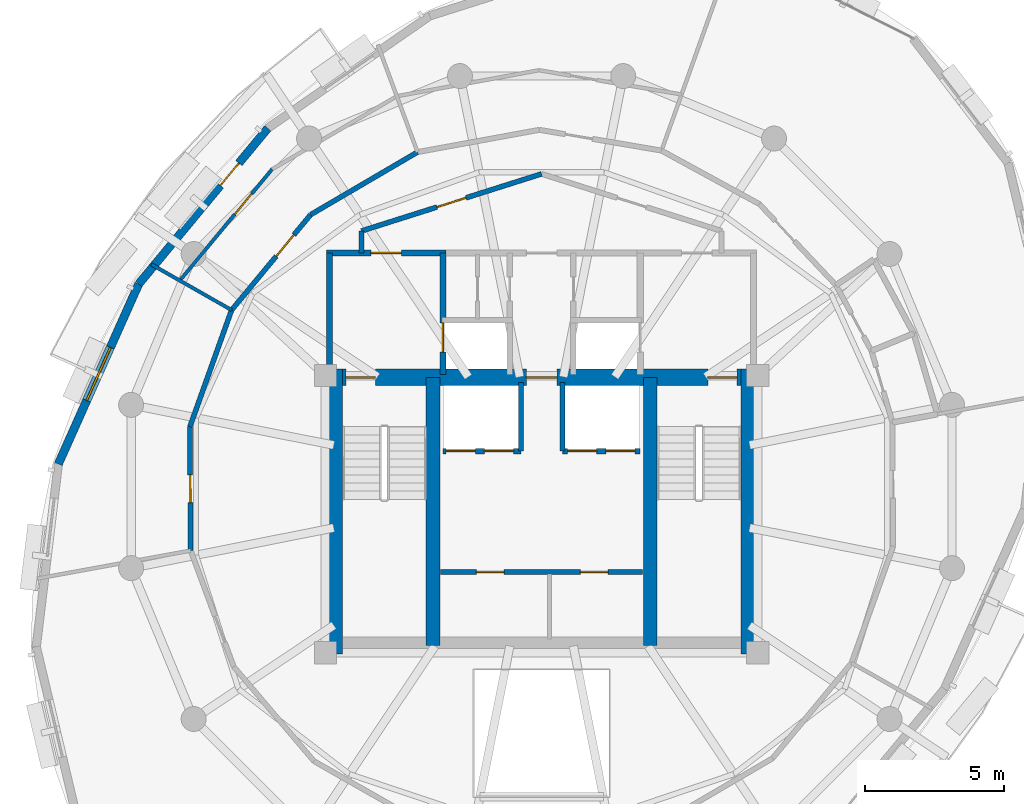
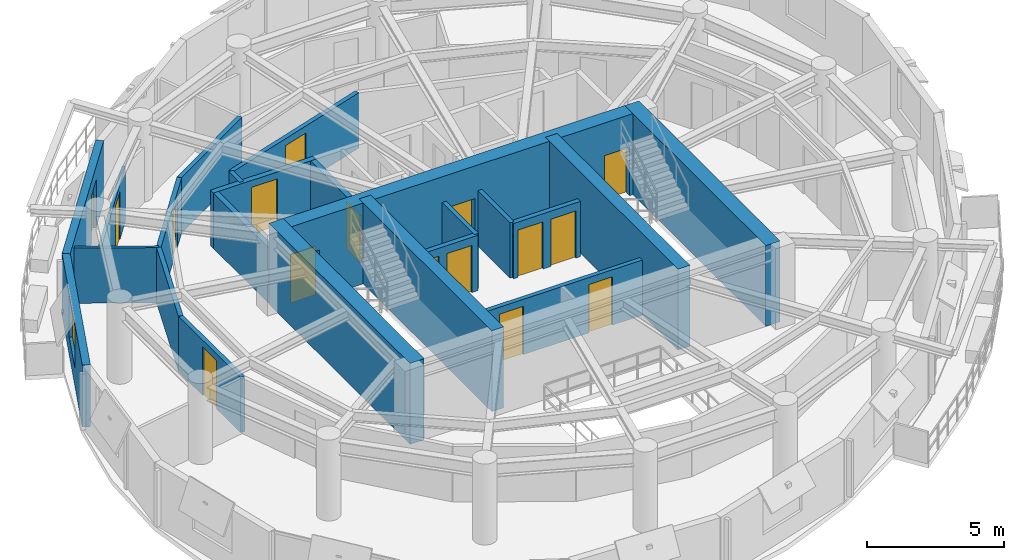
# One storey, part 7 of 11: 23 walls, 16 doors, 1 window, 17 openings.
"""IFC4 building model written with IfcOpenShell, lengths in metres."""

from ifc_helpers import new_model, si_unit, direction, frame, frame_2d, origin, place, context, subcontext, project, spatial, rectangle, extrude, material, layer, layer_set, type_object, element, fill, save


model = new_model("IFC4")

# Units and contexts
model_context = context("Model", 3, precision=1e-05, world=origin(), true_north=direction((0.0, 1.0)))
body_context = subcontext(model_context, "Body", "Model", "MODEL_VIEW")
ifc_project = project(units=[si_unit("LENGTHUNIT", "METRE"), si_unit("AREAUNIT", "SQUARE_METRE"), si_unit("VOLUMEUNIT", "CUBIC_METRE"), si_unit("PLANEANGLEUNIT", "RADIAN"), si_unit("MASSUNIT", "GRAM", prefix="KILO"), si_unit("THERMODYNAMICTEMPERATUREUNIT", "KELVIN"), si_unit("POWERUNIT", "WATT")], contexts=[model_context])

# Site, building, storey
site_placement = place(None, origin())
site = spatial("IfcSite", under=ifc_project, at=site_placement, CompositionType="ELEMENT")
building_placement = place(site_placement, origin())
building = spatial("IfcBuilding", under=site, at=building_placement, Name="Ocrelia Relay Tower", CompositionType="ELEMENT")
storey_placement = place(building_placement, frame((0.0, 0.0, 241.199951171875)))
storey = spatial("IfcBuildingStorey", under=building, at=storey_placement, Name="L59", CompositionType="ELEMENT", Elevation=241.199951171875)

# Wall, openings, doors
ifc_material_1 = material(Name="Concrete C50/60", Category="concrete")
ifc_layer_1 = layer(ifc_material_1, 0.60009765625, Name="Concrete C50/60")
ifc_layer_set_1 = layer_set([ifc_layer_1], Name="Concrete C50/60")
wall_type_1 = type_object("IfcWallType", Name="CW-CORE-600B", PredefinedType="SHEAR", material=ifc_layer_set_1)
wall_1_placement = place(storey_placement, frame((26.221923828125, 29.93798828125, 0.0), z_axis=(0.0, 0.0, 1.0), x_axis=(1.0, 0.0, 0.0)))
wall_1 = element("IfcWall", 1, at=wall_1_placement, inside=storey, type_object=wall_type_1, Name="L59 Core Shear Wall N", PredefinedType="SHEAR", context=body_context, shape_type="SweptSolid", body=[
    extrude(rectangle(XDim=15.566162109375, YDim=0.60009765625, at=frame_2d((7.783203125, 0.0))), origin(), (0.0, 0.0, 1.0), 3.60009765625),
])
opening_1_placement = place(wall_1_placement, frame((0.72802734375, 0.0, 0.0)))
opening_1 = element("IfcOpeningElement", 2, at=opening_1_placement, cuts=wall_1, Name="Opening D-FD90", PredefinedType="OPENING", context=body_context, shape_type="SweptSolid", body=[
    extrude(rectangle(XDim=1.050048828125, YDim=2.14990234375, at=frame_2d((0.52490234375, 1.074951171875))), frame((0.0, 0.31005859375, 0.0), z_axis=(0.0, -1.0, 0.0), x_axis=(1.0, 0.0, 0.0)), (0.0, 0.0, 1.0), 0.6201171875),
])
opening_2_placement = place(wall_1_placement, frame((13.778076171875, 0.0, 0.0)))
opening_2 = element("IfcOpeningElement", 3, at=opening_2_placement, cuts=wall_1, Name="Opening D-FD90", PredefinedType="OPENING", context=body_context, shape_type="SweptSolid", body=[
    extrude(rectangle(XDim=1.050048828125, YDim=2.14990234375, at=frame_2d((0.52490234375, 1.074951171875))), frame((0.0, 0.31005859375, 0.0), z_axis=(0.0, -1.0, 0.0), x_axis=(1.0, 0.0, 0.0)), (0.0, 0.0, 1.0), 0.6201171875),
])
opening_3_placement = place(wall_1_placement, frame((7.22802734375, 0.0, 0.0)))
opening_3 = element("IfcOpeningElement", 4, at=opening_3_placement, cuts=wall_1, Name="Opening D-FD60", PredefinedType="OPENING", context=body_context, shape_type="SweptSolid", body=[
    extrude(rectangle(XDim=1.10009765625, YDim=2.14990234375, at=frame_2d((0.550048828125, 1.074951171875))), frame((0.0, 0.31005859375, 0.0), z_axis=(0.0, -1.0, 0.0), x_axis=(1.0, 0.0, 0.0)), (0.0, 0.0, 1.0), 0.6201171875),
])
ifc_material_2 = material(Name="Timber-core 60-min acoustic fire door", Category="wood")
door_type_1 = type_object("IfcDoorType", Name="DR-LOBBY-FD60-1100", OperationType="NOTDEFINED", PredefinedType="DOOR", material=ifc_material_2)
door_1_placement = place(opening_3_placement, origin())
door_1 = element("IfcDoor", 5, at=door_1_placement, inside=storey, type_object=door_type_1, Name="L59 Core Lift Lobby North Fire Door", OperationType="SINGLE_SWING_LEFT", OverallHeight=2.14990234375, OverallWidth=1.10009765625, PredefinedType="DOOR", context=body_context, shape_type="SweptSolid", body=[
    extrude(rectangle(XDim=1.10009765625, YDim=2.14990234375, at=frame_2d((0.550048828125, 1.074951171875))), frame((0.0, 0.02490234375, 0.0), z_axis=(0.0, -1.0, 0.0), x_axis=(1.0, 0.0, 0.0)), (0.0, 0.0, 1.0), 0.050048828125),
])
fill(opening_3, door_1)
ifc_material_3 = material(Name="Steel S355 90-min fire door", Category="steel")
door_type_2 = type_object("IfcDoorType", Name="DR-STAIR-FD90-1050", OperationType="NOTDEFINED", PredefinedType="DOOR", material=ifc_material_3)
door_2_placement = place(opening_1_placement, origin())
door_2 = element("IfcDoor", 6, at=door_2_placement, inside=storey, type_object=door_type_2, Name="L59 Stair ST1 Fire Door", OperationType="SINGLE_SWING_LEFT", OverallHeight=2.14990234375, OverallWidth=1.050048828125, PredefinedType="DOOR", context=body_context, shape_type="SweptSolid", body=[
    extrude(rectangle(XDim=1.050048828125, YDim=2.14990234375, at=frame_2d((0.52490234375, 1.074951171875))), frame((0.0, 0.02490234375, 0.0), z_axis=(0.0, -1.0, 0.0), x_axis=(1.0, 0.0, 0.0)), (0.0, 0.0, 1.0), 0.050048828125),
])
fill(opening_1, door_2)
door_3_placement = place(opening_2_placement, origin())
door_3 = element("IfcDoor", 7, at=door_3_placement, inside=storey, type_object=door_type_2, Name="L59 Stair ST2 Fire Door", OperationType="SINGLE_SWING_RIGHT", OverallHeight=2.14990234375, OverallWidth=1.050048828125, PredefinedType="DOOR", context=body_context, shape_type="SweptSolid", body=[
    extrude(rectangle(XDim=1.050048828125, YDim=2.14990234375, at=frame_2d((0.52490234375, 1.074951171875))), frame((0.0, 0.02490234375, 0.0), z_axis=(0.0, -1.0, 0.0), x_axis=(1.0, 0.0, 0.0)), (0.0, 0.0, 1.0), 0.050048828125),
])
fill(opening_2, door_3)

# Walls
for number, where, z_axis, x_axis, name in (
    (8, (26.52197265625, 19.9619140625, 0.0), (0.0, 0.0, 1.0), (0.0, 1.0, 0.0), "L59 Core Shear Wall W"),
    (9, (41.488037109375, 19.9619140625, 0.0), (0.0, 0.0, 1.0), (0.0, 1.0, 0.0), "L59 Core Shear Wall E"),
):
    element("IfcWall", number, at=place(storey_placement, frame(where, z_axis=z_axis, x_axis=x_axis)), inside=storey, type_object=wall_type_1, Name=name, PredefinedType="SHEAR", context=body_context, shape_type="SweptSolid", body=[
        extrude(rectangle(XDim=10.276123046875, YDim=0.60009765625, at=frame_2d((5.13818359375, 0.0))), origin(), (0.0, 0.0, 1.0), 3.60009765625),
    ])
for number, where, z_axis, x_axis, name in (
    (10, (30.087890625, 20.261962890625, 0.0), (0.0, 0.0, 1.0), (0.0, 1.0, 0.0), "L59 Core Shear Wall SPW"),
    (11, (37.922119140625, 20.261962890625, 0.0), (0.0, 0.0, 1.0), (0.0, 1.0, 0.0), "L59 Core Shear Wall SPE"),
):
    element("IfcWall", number, at=place(storey_placement, frame(where, z_axis=z_axis, x_axis=x_axis)), inside=storey, type_object=wall_type_1, Name=name, PredefinedType="SHEAR", context=body_context, shape_type="SweptSolid", body=[
        extrude(rectangle(XDim=9.676025390625, YDim=0.5, at=frame_2d((4.837890625, 0.0))), origin(), (0.0, 0.0, 1.0), 3.60009765625),
    ])

# Wall, openings, doors
ifc_material_4 = material(Name="Gypsum Fireboard Partition EI60", Category="gypsum")
ifc_layer_2 = layer(ifc_material_4, 0.179931640625, Name="Gypsum Fireboard Partition EI60")
ifc_layer_set_2 = layer_set([ifc_layer_2], Name="Gypsum Fireboard Partition EI60")
wall_type_2 = type_object("IfcWallType", Name="W-CORR-EI60-180", PredefinedType="PARTITIONING", material=ifc_layer_set_2)
wall_2_placement = place(storey_placement, frame((30.35009765625, 22.919921875, 0.0), z_axis=(0.0, 0.0, 1.0), x_axis=(1.0, 0.0, 0.0)))
wall_2 = element("IfcWall", 12, at=wall_2_placement, inside=storey, type_object=wall_type_2, Name="L59 Reclaimed Core Room Partition", PredefinedType="PARTITIONING", context=body_context, shape_type="SweptSolid", body=[
    extrude(rectangle(XDim=7.2998046875, YDim=0.179931640625, at=frame_2d((3.64990234375, 0.0))), origin(), (0.0, 0.0, 1.0), 2.4599609375),
])
opening_4_placement = place(wall_2_placement, frame((1.300048828125, 0.0, 0.0)))
opening_4 = element("IfcOpeningElement", 13, at=opening_4_placement, cuts=wall_2, Name="Opening D-RM100", PredefinedType="OPENING", context=body_context, shape_type="SweptSolid", body=[
    extrude(rectangle(XDim=1.0, YDim=2.14990234375, at=frame_2d((0.5, 1.074951171875))), frame((0.0, 0.10009765625, 0.0), z_axis=(0.0, -1.0, 0.0), x_axis=(1.0, 0.0, 0.0)), (0.0, 0.0, 1.0), 0.199951171875),
])
opening_5_placement = place(wall_2_placement, frame((5.050048828125, 0.0, 0.0)))
opening_5 = element("IfcOpeningElement", 14, at=opening_5_placement, cuts=wall_2, Name="Opening D-RM100", PredefinedType="OPENING", context=body_context, shape_type="SweptSolid", body=[
    extrude(rectangle(XDim=1.0, YDim=2.14990234375, at=frame_2d((0.5, 1.074951171875))), frame((0.0, 0.10009765625, 0.0), z_axis=(0.0, -1.0, 0.0), x_axis=(1.0, 0.0, 0.0)), (0.0, 0.0, 1.0), 0.199951171875),
])
ifc_material_5 = material(Name="Acoustic oak veneer fire door", Category="wood")
door_type_3 = type_object("IfcDoorType", Name="DR-ROOM-FD60-1000", OperationType="NOTDEFINED", PredefinedType="DOOR", material=ifc_material_5)
door_4_placement = place(opening_4_placement, origin())
door_4 = element("IfcDoor", 15, at=door_4_placement, inside=storey, type_object=door_type_3, Name="L59 Reclaimed Core Room 1 Door", OperationType="SINGLE_SWING_RIGHT", OverallHeight=2.14990234375, OverallWidth=1.0, PredefinedType="DOOR", context=body_context, shape_type="SweptSolid", body=[
    extrude(rectangle(XDim=1.0, YDim=2.14990234375, at=frame_2d((0.5, 1.074951171875))), frame((0.0, 0.02490234375, 0.0), z_axis=(0.0, -1.0, 0.0), x_axis=(1.0, 0.0, 0.0)), (0.0, 0.0, 1.0), 0.050048828125),
])
fill(opening_4, door_4)
door_5_placement = place(opening_5_placement, origin())
door_5 = element("IfcDoor", 16, at=door_5_placement, inside=storey, type_object=door_type_3, Name="L59 Reclaimed Core Room 2 Door", OperationType="SINGLE_SWING_LEFT", OverallHeight=2.14990234375, OverallWidth=1.0, PredefinedType="DOOR", context=body_context, shape_type="SweptSolid", body=[
    extrude(rectangle(XDim=1.0, YDim=2.14990234375, at=frame_2d((0.5, 1.074951171875))), frame((0.0, 0.02490234375, 0.0), z_axis=(0.0, -1.0, 0.0), x_axis=(1.0, 0.0, 0.0)), (0.0, 0.0, 1.0), 0.050048828125),
])
fill(opening_5, door_5)

# Wall
wall_3_placement = place(storey_placement, frame((27.5, 34.429931640625, 0.0), z_axis=(0.0, 0.0, 1.0), x_axis=(0.0, 1.0, 0.0)))
element("IfcWall", 17, at=wall_3_placement, inside=storey, type_object=wall_type_2, Name="L59 Smoke Lobby West Return", PredefinedType="PARTITIONING", context=body_context, shape_type="SweptSolid", body=[
    extrude(rectangle(XDim=0.7890625, YDim=0.179931640625, at=frame_2d((0.39453125, 0.0))), origin(), (0.0, 0.0, 1.0), 2.4599609375),
])

# Wall, opening, door
wall_4_placement = place(storey_placement, frame((27.5, 35.218994140625, 0.0), z_axis=(0.0, 0.0, 1.0), x_axis=(0.953228121756, 0.302251795518, 0.0)))
wall_4 = element("IfcWall", 18, at=wall_4_placement, inside=storey, type_object=wall_type_2, Name="L59 North Smoke Lobby W Screen Wall", PredefinedType="PARTITIONING", context=body_context, shape_type="SweptSolid", body=[
    extrude(rectangle(XDim=6.81884765625, YDim=0.179931640625, at=frame_2d((3.409423828125, 0.0))), origin(), (0.0, 0.0, 1.0), 2.4599609375),
])
opening_6_placement = place(wall_4_placement, frame((2.859619140625, 0.0, 0.0)))
opening_6 = element("IfcOpeningElement", 19, at=opening_6_placement, cuts=wall_4, Name="Opening D-FD60", PredefinedType="OPENING", context=body_context, shape_type="SweptSolid", body=[
    extrude(rectangle(XDim=1.10009765625, YDim=2.14990234375, at=frame_2d((0.550048828125, 1.074951171875))), frame((0.0, 0.10009765625, 0.0), z_axis=(0.0, -1.0, 0.0), x_axis=(1.0, 0.0, 0.0)), (0.0, 0.0, 1.0), 0.199951171875),
])
door_6_placement = place(opening_6_placement, origin())
door_6 = element("IfcDoor", 20, at=door_6_placement, inside=storey, type_object=door_type_1, Name="L59 North Smoke Lobby W Fire Door", OperationType="SINGLE_SWING_RIGHT", OverallHeight=2.14990234375, OverallWidth=1.10009765625, PredefinedType="DOOR", context=body_context, shape_type="SweptSolid", body=[
    extrude(rectangle(XDim=1.10009765625, YDim=2.14990234375, at=frame_2d((0.550048828125, 1.074951171875))), frame((0.0, 0.02490234375, 0.0), z_axis=(0.0, -1.0, 0.0), x_axis=(1.0, 0.0, 0.0)), (0.0, 0.0, 1.0), 0.050048828125),
])
fill(opening_6, door_6)

# Wall
wall_5_placement = place(storey_placement, frame((29.5244140625, 38.066650390625, 0.0), z_axis=(0.0, 0.0, 1.0), x_axis=(-0.862971485052, -0.505252625909, 0.0)))
element("IfcWall", 21, at=wall_5_placement, inside=storey, type_object=wall_type_2, Name="L59 Regulatory Seminar Room Corridor Partition 1", PredefinedType="PARTITIONING", context=body_context, shape_type="SweptSolid", body=[
    extrude(rectangle(XDim=4.4697265625, YDim=0.179931640625, at=frame_2d((2.23486328125, 0.0))), origin(), (0.0, 0.0, 1.0), 2.4599609375),
])

# Wall, opening, door
wall_6_placement = place(storey_placement, frame((25.667236328125, 35.808349609375, 0.0), z_axis=(0.0, 0.0, 1.0), x_axis=(-0.638070606168, -0.769977857828, 0.0)))
wall_6 = element("IfcWall", 22, at=wall_6_placement, inside=storey, type_object=wall_type_2, Name="L59 Regulatory Seminar Room Corridor Partition 2", PredefinedType="PARTITIONING", context=body_context, shape_type="SweptSolid", body=[
    extrude(rectangle(XDim=4.4697265625, YDim=0.179931640625, at=frame_2d((2.23486328125, 0.0))), origin(), (0.0, 0.0, 1.0), 2.4599609375),
])
opening_7_placement = place(wall_6_placement, frame((0.9423828125, 0.0, 0.0)))
opening_7 = element("IfcOpeningElement", 23, at=opening_7_placement, cuts=wall_6, Name="Opening D-RM100", PredefinedType="OPENING", context=body_context, shape_type="SweptSolid", body=[
    extrude(rectangle(XDim=1.0, YDim=2.14990234375, at=frame_2d((0.5, 1.074951171875))), frame((0.0, 0.10009765625, 0.0), z_axis=(0.0, -1.0, 0.0), x_axis=(1.0, 0.0, 0.0)), (0.0, 0.0, 1.0), 0.199951171875),
])
door_7_placement = place(opening_7_placement, origin())
door_7 = element("IfcDoor", 24, at=door_7_placement, inside=storey, type_object=door_type_3, Name="L59 Regulatory Seminar Room Entrance Door", OperationType="SINGLE_SWING_LEFT", OverallHeight=2.14990234375, OverallWidth=1.0, PredefinedType="DOOR", context=body_context, shape_type="SweptSolid", body=[
    extrude(rectangle(XDim=1.0, YDim=2.14990234375, at=frame_2d((0.5, 1.074951171875))), frame((0.0, 0.02490234375, 0.0), z_axis=(0.0, -1.0, 0.0), x_axis=(1.0, 0.0, 0.0)), (0.0, 0.0, 1.0), 0.050048828125),
])
fill(opening_7, door_7)

# Wall
wall_7_placement = place(storey_placement, frame((22.815185546875, 32.36669921875, 0.0), z_axis=(0.0, 0.0, 1.0), x_axis=(-0.336312175041, -0.941750561943, 0.0)))
element("IfcWall", 25, at=wall_7_placement, inside=storey, type_object=wall_type_2, Name="L59 Treaty Negotiation Room Corridor Partition 1", PredefinedType="PARTITIONING", context=body_context, shape_type="SweptSolid", body=[
    extrude(rectangle(XDim=4.469482421875, YDim=0.179931640625, at=frame_2d((2.23486328125, 0.0))), origin(), (0.0, 0.0, 1.0), 2.4599609375),
])

# Wall, opening, door
wall_8_placement = place(storey_placement, frame((21.31201171875, 28.157470703125, 0.0), z_axis=(0.0, 0.0, 1.0), x_axis=(0.006117429774, -0.999981288351, 0.0)))
wall_8 = element("IfcWall", 26, at=wall_8_placement, inside=storey, type_object=wall_type_2, Name="L59 Treaty Negotiation Room Corridor Partition 2", PredefinedType="PARTITIONING", context=body_context, shape_type="SweptSolid", body=[
    extrude(rectangle(XDim=4.4697265625, YDim=0.179931640625, at=frame_2d((2.23486328125, 0.0))), origin(), (0.0, 0.0, 1.0), 2.4599609375),
])
opening_8_placement = place(wall_8_placement, frame((1.73486328125, 0.0, 0.0)))
opening_8 = element("IfcOpeningElement", 27, at=opening_8_placement, cuts=wall_8, Name="Opening D-RM100", PredefinedType="OPENING", context=body_context, shape_type="SweptSolid", body=[
    extrude(rectangle(XDim=1.0, YDim=2.14990234375, at=frame_2d((0.5, 1.074951171875))), frame((0.0, 0.10009765625, 0.0), z_axis=(0.0, -1.0, 0.0), x_axis=(1.0, 0.0, 0.0)), (0.0, 0.0, 1.0), 0.199951171875),
])
door_8_placement = place(opening_8_placement, origin())
door_8 = element("IfcDoor", 28, at=door_8_placement, inside=storey, type_object=door_type_3, Name="L59 Treaty Negotiation Room Entrance Door", OperationType="SINGLE_SWING_LEFT", OverallHeight=2.14990234375, OverallWidth=1.0, PredefinedType="DOOR", context=body_context, shape_type="SweptSolid", body=[
    extrude(rectangle(XDim=1.0, YDim=2.14990234375, at=frame_2d((0.5, 1.074951171875))), frame((0.0, 0.02490234375, 0.0), z_axis=(0.0, -1.0, 0.0), x_axis=(1.0, 0.0, 0.0)), (0.0, 0.0, 1.0), 0.050048828125),
])
fill(opening_8, door_8)

ifc_material_6 = material(Name="Precast concrete C40/50 with oxide terracotta", Category="masonry")
ifc_layer_3 = layer(ifc_material_6, 0.300048828125, Name="Precast concrete C40/50 with oxide terracotta")
ifc_layer_set_3 = layer_set([ifc_layer_3], Name="Precast concrete C40/50 with oxide terracotta")
wall_type_3 = type_object("IfcWallType", Name="W-EXT-TERR-300", PredefinedType="SOLIDWALL", material=ifc_layer_set_3)
wall_9_placement = place(storey_placement, frame((24.118896484375, 38.925048828125, 0.0), z_axis=(0.0, 0.0, 1.0), x_axis=(-0.638097821835, -0.769955303748, 0.0)))
wall_9 = element("IfcWall", 29, at=wall_9_placement, inside=storey, type_object=wall_type_3, Name="L59 Oxide Terracotta Facade Wall 05", PredefinedType="SOLIDWALL", context=body_context, shape_type="SweptSolid", body=[
    extrude(rectangle(XDim=7.293212890625, YDim=0.300048828125, at=frame_2d((3.646484375, 0.0))), origin(), (0.0, 0.0, 1.0), 2.760009765625),
])
opening_9_placement = place(wall_9_placement, frame((1.6298828125, 0.0, 0.0)))
opening_9 = element("IfcOpeningElement", 30, at=opening_9_placement, cuts=wall_9, Name="Opening DB-105", PredefinedType="OPENING", context=body_context, shape_type="SweptSolid", body=[
    extrude(rectangle(XDim=1.050048828125, YDim=2.14990234375, at=frame_2d((0.52490234375, 1.074951171875))), frame((0.0, 0.16015625, 0.0), z_axis=(0.0, -1.0, 0.0), x_axis=(1.0, 0.0, 0.0)), (0.0, 0.0, 1.0), 0.320068359375),
])
ifc_material_7 = material(Name="Thermally broken aluminium and clear glass", Category="aluminium")
door_type_4 = type_object("IfcDoorType", Name="DR-BALC-1050", OperationType="NOTDEFINED", PredefinedType="DOOR", material=ifc_material_7)
door_9_placement = place(opening_9_placement, origin())
door_9 = element("IfcDoor", 31, at=door_9_placement, inside=storey, type_object=door_type_4, Name="L59 Planted Loggia Balcony Door B1", OperationType="SINGLE_SWING_LEFT", OverallHeight=2.14990234375, OverallWidth=1.050048828125, PredefinedType="DOOR", context=body_context, shape_type="SweptSolid", body=[
    extrude(rectangle(XDim=1.050048828125, YDim=2.14990234375, at=frame_2d((0.52490234375, 1.074951171875))), frame((0.0, 0.02490234375, 0.0), z_axis=(0.0, -1.0, 0.0), x_axis=(1.0, 0.0, 0.0)), (0.0, 0.0, 1.0), 0.050048828125),
])
fill(opening_9, door_9)

# Wall, opening, window
wall_10_placement = place(storey_placement, frame((19.465087890625, 33.3095703125, 0.0), z_axis=(0.0, 0.0, 1.0), x_axis=(-0.407669232849, -0.913129671289, 0.0)))
wall_10 = element("IfcWall", 32, at=wall_10_placement, inside=storey, type_object=wall_type_3, Name="L59 Oxide Terracotta Facade Wall 06", PredefinedType="SOLIDWALL", context=body_context, shape_type="SweptSolid", body=[
    extrude(rectangle(XDim=7.115234375, YDim=0.300048828125, at=frame_2d((3.5576171875, 0.0))), origin(), (0.0, 0.0, 1.0), 2.760009765625),
])
opening_10_placement = place(wall_10_placement, frame((2.508056640625, 0.0, 0.800048828125)))
opening_10 = element("IfcOpeningElement", 33, at=opening_10_placement, cuts=wall_10, Name="Opening W-07", PredefinedType="OPENING", context=body_context, shape_type="SweptSolid", body=[
    extrude(rectangle(XDim=2.10009765625, YDim=1.85009765625, at=frame_2d((1.050048828125, 0.925048828125))), frame((0.0, 0.16015625, 0.0), z_axis=(0.0, -1.0, 0.0), x_axis=(1.0, 0.0, 0.0)), (0.0, 0.0, 1.0), 0.320068359375),
])
ifc_material_8 = material(Name="Clear double-glazed low-E glass", Category="glass")
window_type = type_object("IfcWindowType", Name="WIN-Z4-2100x2200", PartitioningType="DOUBLE_PANEL_VERTICAL", PredefinedType="WINDOW", material=ifc_material_8)
window_placement = place(opening_10_placement, origin())
window = element("IfcWindow", 34, at=window_placement, inside=storey, type_object=window_type, Name="L59 Facade Module Window 06", OverallHeight=1.85009765625, OverallWidth=2.10009765625, PartitioningType="SINGLE_PANEL", PredefinedType="WINDOW", context=body_context, shape_type="SweptSolid", body=[
    extrude(rectangle(XDim=2.10009765625, YDim=1.85009765625, at=frame_2d((1.050048828125, 0.925048828125))), frame((0.0, 0.030029296875, 0.0), z_axis=(0.0, -1.0, 0.0), x_axis=(1.0, 0.0, 0.0)), (0.0, 0.0, 1.0), 0.06005859375),
])
fill(opening_10, window)

# Wall
ifc_layer_4 = layer(ifc_material_1, 0.219970703125, Name="Concrete C50/60")
ifc_layer_set_4 = layer_set([ifc_layer_4], Name="Concrete C50/60")
wall_type_4 = type_object("IfcWallType", Name="W-FFL-EI120-220", PredefinedType="SOLIDWALL", material=ifc_layer_set_4)
wall_11_placement = place(storey_placement, frame((26.35009765625, 30.050048828125, 0.0), z_axis=(0.0, 0.0, 1.0), x_axis=(0.0, 1.0, 0.0)))
element("IfcWall", 35, at=wall_11_placement, inside=storey, type_object=wall_type_4, Name="L59 W Fire Service Lift Lobby West Wall", PredefinedType="SOLIDWALL", context=body_context, shape_type="SweptSolid", body=[
    extrude(rectangle(XDim=4.3798828125, YDim=0.219970703125, at=frame_2d((2.18994140625, 0.0))), origin(), (0.0, 0.0, 1.0), 2.4599609375),
])

# Wall, opening, door
wall_12_placement = place(storey_placement, frame((30.43994140625, 30.050048828125, 0.0), z_axis=(0.0, 0.0, 1.0), x_axis=(0.0, 1.0, 0.0)))
wall_12 = element("IfcWall", 36, at=wall_12_placement, inside=storey, type_object=wall_type_4, Name="L59 W Fire Service Lift Lobby East Wall", PredefinedType="SOLIDWALL", context=body_context, shape_type="SweptSolid", body=[
    extrude(rectangle(XDim=4.3798828125, YDim=0.219970703125, at=frame_2d((2.18994140625, 0.0))), origin(), (0.0, 0.0, 1.0), 2.4599609375),
])
opening_11_placement = place(wall_12_placement, frame((0.800048828125, 0.0, 0.0)))
opening_11 = element("IfcOpeningElement", 37, at=opening_11_placement, cuts=wall_12, Name="Opening LD-FFL1", PredefinedType="OPENING", context=body_context, shape_type="SweptSolid", body=[
    extrude(rectangle(XDim=1.050048828125, YDim=2.10009765625, at=frame_2d((0.52490234375, 1.050048828125))), frame((0.0, 0.1201171875, 0.0), z_axis=(0.0, -1.0, 0.0), x_axis=(1.0, 0.0, 0.0)), (0.0, 0.0, 1.0), 0.239990234375),
])
ifc_material_9 = material(Name="Brushed stainless steel S355 lift landing door", Category="steel")
door_type_5 = type_object("IfcDoorType", Name="DR-LIFT-LAND-1050", OperationType="DOUBLE_DOOR_SLIDING", PredefinedType="USERDEFINED", material=ifc_material_9)
door_10_placement = place(opening_11_placement, origin())
door_10 = element("IfcDoor", 38, at=door_10_placement, inside=storey, type_object=door_type_5, Name="L59 Firefighting Lift FFL1 Sliding Landing Door", ObjectType="LANDING DOOR", OperationType="DOUBLE_DOOR_SLIDING", OverallHeight=2.10009765625, OverallWidth=1.050048828125, PredefinedType="USERDEFINED", context=body_context, shape_type="SweptSolid", body=[
    extrude(rectangle(XDim=1.050048828125, YDim=2.10009765625, at=frame_2d((0.52490234375, 1.050048828125))), frame((0.0, 0.02490234375, 0.0), z_axis=(0.0, -1.0, 0.0), x_axis=(1.0, 0.0, 0.0)), (0.0, 0.0, 1.0), 0.050048828125),
])
fill(opening_11, door_10)

wall_13_placement = place(storey_placement, frame((26.239990234375, 34.429931640625, 0.0), z_axis=(0.0, 0.0, 1.0), x_axis=(1.0, 0.0, 0.0)))
wall_13 = element("IfcWall", 39, at=wall_13_placement, inside=storey, type_object=wall_type_4, Name="L59 W Fire Service Lift Lobby North Wall", PredefinedType="SOLIDWALL", context=body_context, shape_type="SweptSolid", body=[
    extrude(rectangle(XDim=4.31005859375, YDim=0.219970703125, at=frame_2d((2.155029296875, 0.0))), origin(), (0.0, 0.0, 1.0), 2.4599609375),
])
opening_12_placement = place(wall_13_placement, frame((1.60009765625, 0.0, 0.0)))
opening_12 = element("IfcOpeningElement", 40, at=opening_12_placement, cuts=wall_13, Name="Opening D-FD60", PredefinedType="OPENING", context=body_context, shape_type="SweptSolid", body=[
    extrude(rectangle(XDim=1.10009765625, YDim=2.14990234375, at=frame_2d((0.550048828125, 1.074951171875))), frame((0.0, 0.1201171875, 0.0), z_axis=(0.0, -1.0, 0.0), x_axis=(1.0, 0.0, 0.0)), (0.0, 0.0, 1.0), 0.239990234375),
])
door_11_placement = place(opening_12_placement, origin())
door_11 = element("IfcDoor", 41, at=door_11_placement, inside=storey, type_object=door_type_1, Name="L59 W Fire Service Lift Lobby Exit Door", OperationType="SINGLE_SWING_RIGHT", OverallHeight=2.14990234375, OverallWidth=1.10009765625, PredefinedType="DOOR", context=body_context, shape_type="SweptSolid", body=[
    extrude(rectangle(XDim=1.10009765625, YDim=2.14990234375, at=frame_2d((0.550048828125, 1.074951171875))), frame((0.0, 0.02490234375, 0.0), z_axis=(0.0, -1.0, 0.0), x_axis=(1.0, 0.0, 0.0)), (0.0, 0.0, 1.0), 0.050048828125),
])
fill(opening_12, door_11)

# Wall
ifc_material_10 = material(Name="Acoustic Fireboard Partition EI60", Category="gypsum")
ifc_layer_5 = layer(ifc_material_10, 0.125, Name="Acoustic Fireboard Partition EI60")
ifc_layer_set_5 = layer_set([ifc_layer_5], Name="Acoustic Fireboard Partition EI60")
wall_type_5 = type_object("IfcWallType", Name="W-PART-125", PredefinedType="PARTITIONING", material=ifc_layer_set_5)
wall_14_placement = place(storey_placement, frame((22.815185546875, 32.36669921875, 0.0), z_axis=(0.0, 0.0, 1.0), x_axis=(-0.86904485461, 0.494733302574, 0.0)))
element("IfcWall", 42, at=wall_14_placement, inside=storey, type_object=wall_type_5, Name="L59 Regulatory Seminar Room Radial Partition", PredefinedType="PARTITIONING", context=body_context, shape_type="SweptSolid", body=[
    extrude(rectangle(XDim=3.3310546875, YDim=0.125, at=frame_2d((1.66552734375, 0.0))), origin(), (0.0, 0.0, 1.0), 2.4599609375),
])

# Wall, opening, door
wall_15_placement = place(storey_placement, frame((24.275146484375, 37.44677734375, 0.0), z_axis=(0.0, 0.0, 1.0), x_axis=(-0.638078123437, -0.769971628303, 0.0)))
wall_15 = element("IfcWall", 43, at=wall_15_placement, inside=storey, type_object=wall_type_5, Name="L59 Perimeter Regulatory Seminar Room Mid-Ring Partition 2", PredefinedType="PARTITIONING", context=body_context, shape_type="SweptSolid", body=[
    extrude(rectangle(XDim=5.21630859375, YDim=0.125, at=frame_2d((2.608154296875, 0.0))), origin(), (0.0, 0.0, 1.0), 2.4599609375),
])
opening_13_placement = place(wall_15_placement, frame((1.156494140625, 0.0, 0.0)))
opening_13 = element("IfcOpeningElement", 44, at=opening_13_placement, cuts=wall_15, Name="Opening D-RM95", PredefinedType="OPENING", context=body_context, shape_type="SweptSolid", body=[
    extrude(rectangle(XDim=0.949951171875, YDim=2.14990234375, at=frame_2d((0.47509765625, 1.074951171875))), frame((0.0, 0.072509765625, 0.0), z_axis=(0.0, -1.0, 0.0), x_axis=(1.0, 0.0, 0.0)), (0.0, 0.0, 1.0), 0.14501953125),
])
door_type_6 = type_object("IfcDoorType", Name="DR-ROOM-950", OperationType="NOTDEFINED", PredefinedType="DOOR", material=ifc_material_5)
door_12_placement = place(opening_13_placement, origin())
door_12 = element("IfcDoor", 45, at=door_12_placement, inside=storey, type_object=door_type_6, Name="L59 Perimeter Regulatory Seminar Room Connecting Door", OperationType="SINGLE_SWING_RIGHT", OverallHeight=2.14990234375, OverallWidth=0.949951171875, PredefinedType="DOOR", context=body_context, shape_type="SweptSolid", body=[
    extrude(rectangle(XDim=0.949951171875, YDim=2.14990234375, at=frame_2d((0.47509765625, 1.074951171875))), frame((0.0, 0.02490234375, 0.0), z_axis=(0.0, -1.0, 0.0), x_axis=(1.0, 0.0, 0.0)), (0.0, 0.0, 1.0), 0.050048828125),
])
fill(opening_13, door_12)

# Wall, openings, doors
ifc_layer_6 = layer(ifc_material_1, 0.199951171875, Name="Concrete C50/60")
ifc_layer_set_6 = layer_set([ifc_layer_6], Name="Concrete C50/60")
wall_type_6 = type_object("IfcWallType", Name="W-SHAFT-EI120-200", PredefinedType="SOLIDWALL", material=ifc_layer_set_6)
wall_16_placement = place(storey_placement, frame((30.43994140625, 27.280029296875, 0.0), z_axis=(0.0, 0.0, 1.0), x_axis=(1.0, 0.0, 0.0)))
wall_16 = element("IfcWall", 46, at=wall_16_placement, inside=storey, type_object=wall_type_6, Name="L59 High-Rise Lift Hoistway Wall W", PredefinedType="SOLIDWALL", context=body_context, shape_type="SweptSolid", body=[
    extrude(rectangle(XDim=2.81005859375, YDim=0.199951171875, at=frame_2d((1.405029296875, 0.0))), origin(), (0.0, 0.0, 1.0), 2.4599609375),
])
opening_14_placement = place(wall_16_placement, frame((0.1201171875, 0.0, 0.0)))
opening_14 = element("IfcOpeningElement", 47, at=opening_14_placement, cuts=wall_16, Name="Opening LD-PL5", PredefinedType="OPENING", context=body_context, shape_type="SweptSolid", body=[
    extrude(rectangle(XDim=1.050048828125, YDim=2.10009765625, at=frame_2d((0.52490234375, 1.050048828125))), frame((0.0, 0.10986328125, 0.0), z_axis=(0.0, -1.0, 0.0), x_axis=(1.0, 0.0, 0.0)), (0.0, 0.0, 1.0), 0.219970703125),
])
opening_15_placement = place(wall_16_placement, frame((1.5, 0.0, 0.0)))
opening_15 = element("IfcOpeningElement", 48, at=opening_15_placement, cuts=wall_16, Name="Opening LD-PL6", PredefinedType="OPENING", context=body_context, shape_type="SweptSolid", body=[
    extrude(rectangle(XDim=1.050048828125, YDim=2.10009765625, at=frame_2d((0.52490234375, 1.050048828125))), frame((0.0, 0.10986328125, 0.0), z_axis=(0.0, -1.0, 0.0), x_axis=(1.0, 0.0, 0.0)), (0.0, 0.0, 1.0), 0.219970703125),
])
door_13_placement = place(opening_14_placement, origin())
door_13 = element("IfcDoor", 49, at=door_13_placement, inside=storey, type_object=door_type_5, Name="L59 High-Rise Lift PL5 Sliding Landing Door", ObjectType="LANDING DOOR", OperationType="DOUBLE_DOOR_SLIDING", OverallHeight=2.10009765625, OverallWidth=1.050048828125, PredefinedType="USERDEFINED", context=body_context, shape_type="SweptSolid", body=[
    extrude(rectangle(XDim=1.050048828125, YDim=2.10009765625, at=frame_2d((0.52490234375, 1.050048828125))), frame((0.0, 0.02490234375, 0.0), z_axis=(0.0, -1.0, 0.0), x_axis=(1.0, 0.0, 0.0)), (0.0, 0.0, 1.0), 0.050048828125),
])
fill(opening_14, door_13)
door_14_placement = place(opening_15_placement, origin())
door_14 = element("IfcDoor", 50, at=door_14_placement, inside=storey, type_object=door_type_5, Name="L59 High-Rise Lift PL6 Sliding Landing Door", ObjectType="LANDING DOOR", OperationType="DOUBLE_DOOR_SLIDING", OverallHeight=2.10009765625, OverallWidth=1.050048828125, PredefinedType="USERDEFINED", context=body_context, shape_type="SweptSolid", body=[
    extrude(rectangle(XDim=1.050048828125, YDim=2.10009765625, at=frame_2d((0.52490234375, 1.050048828125))), frame((0.0, 0.02490234375, 0.0), z_axis=(0.0, -1.0, 0.0), x_axis=(1.0, 0.0, 0.0)), (0.0, 0.0, 1.0), 0.050048828125),
])
fill(opening_15, door_14)

# Wall
wall_17_placement = place(storey_placement, frame((33.25, 27.280029296875, 0.0), z_axis=(0.0, 0.0, 1.0), x_axis=(0.0, 1.0, 0.0)))
element("IfcWall", 51, at=wall_17_placement, inside=storey, type_object=wall_type_6, Name="L59 High-Rise Lift Throat Wall W", PredefinedType="SOLIDWALL", context=body_context, shape_type="SweptSolid", body=[
    extrude(rectangle(XDim=2.469970703125, YDim=0.179931640625, at=frame_2d((1.23486328125, 0.0))), origin(), (0.0, 0.0, 1.0), 2.4599609375),
])

# Wall, openings, doors
wall_18_placement = place(storey_placement, frame((34.75, 27.280029296875, 0.0), z_axis=(0.0, 0.0, 1.0), x_axis=(1.0, 0.0, 0.0)))
wall_18 = element("IfcWall", 52, at=wall_18_placement, inside=storey, type_object=wall_type_6, Name="L59 High-Rise Lift Hoistway Wall E", PredefinedType="SOLIDWALL", context=body_context, shape_type="SweptSolid", body=[
    extrude(rectangle(XDim=2.81005859375, YDim=0.199951171875, at=frame_2d((1.405029296875, 0.0))), origin(), (0.0, 0.0, 1.0), 2.4599609375),
])
opening_16_placement = place(wall_18_placement, frame((0.18994140625, 0.0, 0.0)))
opening_16 = element("IfcOpeningElement", 53, at=opening_16_placement, cuts=wall_18, Name="Opening LD-PL7", PredefinedType="OPENING", context=body_context, shape_type="SweptSolid", body=[
    extrude(rectangle(XDim=1.050048828125, YDim=2.10009765625, at=frame_2d((0.52490234375, 1.050048828125))), frame((0.0, 0.10986328125, 0.0), z_axis=(0.0, -1.0, 0.0), x_axis=(1.0, 0.0, 0.0)), (0.0, 0.0, 1.0), 0.219970703125),
])
opening_17_placement = place(wall_18_placement, frame((1.570068359375, 0.0, 0.0)))
opening_17 = element("IfcOpeningElement", 54, at=opening_17_placement, cuts=wall_18, Name="Opening LD-PL8", PredefinedType="OPENING", context=body_context, shape_type="SweptSolid", body=[
    extrude(rectangle(XDim=1.050048828125, YDim=2.10009765625, at=frame_2d((0.52490234375, 1.050048828125))), frame((0.0, 0.10986328125, 0.0), z_axis=(0.0, -1.0, 0.0), x_axis=(1.0, 0.0, 0.0)), (0.0, 0.0, 1.0), 0.219970703125),
])
door_15_placement = place(opening_16_placement, origin())
door_15 = element("IfcDoor", 55, at=door_15_placement, inside=storey, type_object=door_type_5, Name="L59 High-Rise Lift PL7 Sliding Landing Door", ObjectType="LANDING DOOR", OperationType="DOUBLE_DOOR_SLIDING", OverallHeight=2.10009765625, OverallWidth=1.050048828125, PredefinedType="USERDEFINED", context=body_context, shape_type="SweptSolid", body=[
    extrude(rectangle(XDim=1.050048828125, YDim=2.10009765625, at=frame_2d((0.52490234375, 1.050048828125))), frame((0.0, 0.02490234375, 0.0), z_axis=(0.0, -1.0, 0.0), x_axis=(1.0, 0.0, 0.0)), (0.0, 0.0, 1.0), 0.050048828125),
])
fill(opening_16, door_15)
door_16_placement = place(opening_17_placement, origin())
door_16 = element("IfcDoor", 56, at=door_16_placement, inside=storey, type_object=door_type_5, Name="L59 High-Rise Lift PL8 Sliding Landing Door", ObjectType="LANDING DOOR", OperationType="DOUBLE_DOOR_SLIDING", OverallHeight=2.10009765625, OverallWidth=1.050048828125, PredefinedType="USERDEFINED", context=body_context, shape_type="SweptSolid", body=[
    extrude(rectangle(XDim=1.050048828125, YDim=2.10009765625, at=frame_2d((0.52490234375, 1.050048828125))), frame((0.0, 0.02490234375, 0.0), z_axis=(0.0, -1.0, 0.0), x_axis=(1.0, 0.0, 0.0)), (0.0, 0.0, 1.0), 0.050048828125),
])
fill(opening_17, door_16)

# Wall
wall_19_placement = place(storey_placement, frame((34.75, 27.280029296875, 0.0), z_axis=(0.0, 0.0, 1.0), x_axis=(0.0, 1.0, 0.0)))
element("IfcWall", 57, at=wall_19_placement, inside=storey, type_object=wall_type_6, Name="L59 High-Rise Lift Throat Wall E", PredefinedType="SOLIDWALL", context=body_context, shape_type="SweptSolid", body=[
    extrude(rectangle(XDim=2.469970703125, YDim=0.179931640625, at=frame_2d((1.23486328125, 0.0))), origin(), (0.0, 0.0, 1.0), 2.4599609375),
])

save(model, "model.ifc")
